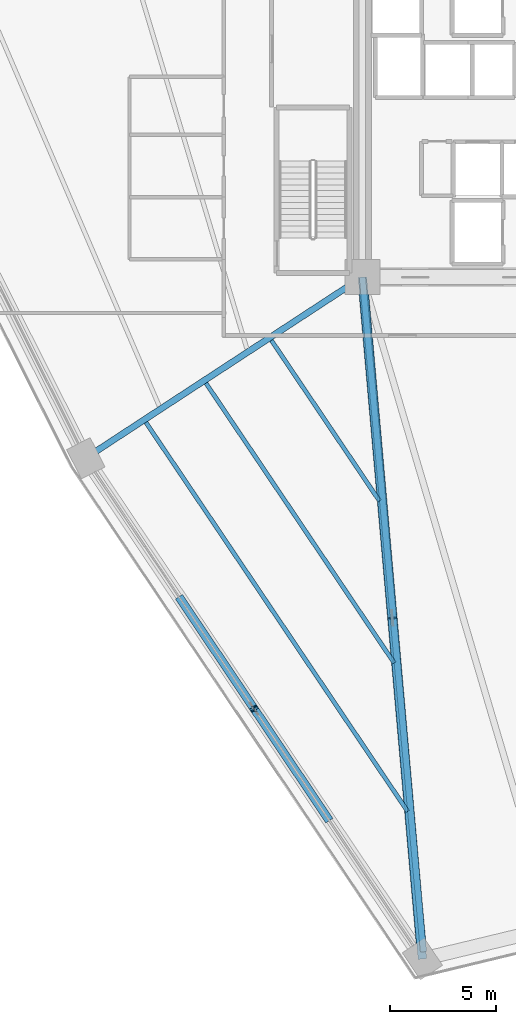
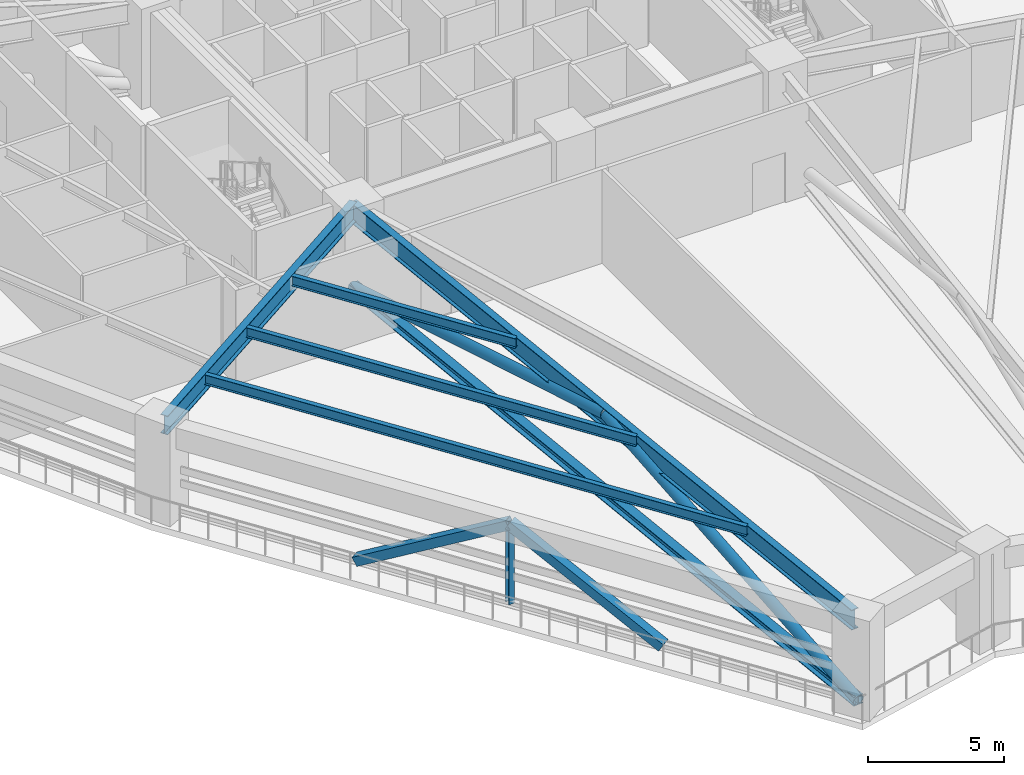
# One storey, part 2 of 25: 6 members, 5 beams.
"""IFC4 building model written with IfcOpenShell, lengths in metres."""

import ifcopenshell
import ifcopenshell.guid

model = None  # the IFC model being written
_history = None  # IfcOwnerHistory: only IFC2X3 demands one
_inside = {}  # id of a spatial element -> (the spatial element, [elements in it])
_under = {}  # id of a project, library or spatial element -> (it, [spatial elements below it])
_declared = {}  # id of a project -> (the project, [libraries it declares])
_typed = {}  # id of a type object -> (the type object, [elements of that type])
_made_of = {}  # id of a material, layer set ... -> (it, [elements and type objects made of it])


def new_model(schema):
    """Start an empty IFC model of exactly this schema.

    Asked for "IFC4X3", IfcOpenShell would pick the latest addendum, in which some entities
    have other attributes; the version numbers below select the first issue.
    IFC2X3 requires an IfcOwnerHistory on every rooted entity: one is made here for all.
    """
    global model, _history
    if schema == "IFC4X3":
        model = ifcopenshell.file(schema_version=(4, 3, 0, 0))
    else:
        model = ifcopenshell.file(schema=schema)
    _inside.clear()
    _under.clear()
    _declared.clear()
    _typed.clear()
    _made_of.clear()
    _history = None
    if model.schema == "IFC2X3":
        org = make("IfcOrganization", Name="unknown")
        user = make(
            "IfcPersonAndOrganization",
            ThePerson=make("IfcPerson", FamilyName="unknown"),
            TheOrganization=org,
        )
        app = make(
            "IfcApplication",
            ApplicationDeveloper=org,
            Version="unknown",
            ApplicationFullName="unknown",
            ApplicationIdentifier="unknown",
        )
        _history = make(
            "IfcOwnerHistory",
            OwningUser=user,
            OwningApplication=app,
            ChangeAction="ADDED",
            CreationDate=0,
        )
    return model


def make(cls, **values):
    """One entity of the class cls with the attributes given. An attribute that is None is left unset."""
    return model.create_entity(
        cls, **{name: value for name, value in values.items() if value is not None}
    )


def rooted(cls, **values):
    """An entity with a GlobalId (a new one), such as an element, a storey or a relation."""
    return make(cls, GlobalId=ifcopenshell.guid.new(), OwnerHistory=_history, **values)


def si_unit(unit_type, name, prefix=None):
    """IfcSIUnit, for example si_unit("LENGTHUNIT", "METRE", prefix="MILLI")."""
    return make("IfcSIUnit", UnitType=unit_type, Prefix=prefix, Name=name)


def assignment(units):
    """IfcUnitAssignment: the units of a project."""
    return None if units is None else make("IfcUnitAssignment", Units=units)


def point(xyz):
    """IfcCartesianPoint."""
    return None if xyz is None else make("IfcCartesianPoint", Coordinates=xyz)


def direction(xyz):
    """IfcDirection."""
    return None if xyz is None else make("IfcDirection", DirectionRatios=xyz)


def frame(location, z_axis=None, x_axis=None):
    """IfcAxis2Placement3D, a coordinate frame: its origin and axes. An axis left out is left unset."""
    return make(
        "IfcAxis2Placement3D",
        Location=point(location),
        Axis=direction(z_axis),
        RefDirection=direction(x_axis),
    )


def frame_2d(location, x_axis=None):
    """IfcAxis2Placement2D, a coordinate frame in the plane: its origin and x axis."""
    return make(
        "IfcAxis2Placement2D", Location=point(location), RefDirection=direction(x_axis)
    )


def origin():
    """The frame at (0, 0, 0) with its axes left unset."""
    return frame((0.0, 0.0, 0.0))


def origin_2d():
    """The frame at (0, 0) in the plane with its x axis left unset."""
    return frame_2d((0.0, 0.0))


def place(relative_to, where):
    """IfcLocalPlacement: puts the frame where relative to a parent placement (None: the world)."""
    return make(
        "IfcLocalPlacement", PlacementRelTo=relative_to, RelativePlacement=where
    )


def context(
    kind, dimensions, precision=None, world=None, true_north=None, identifier=None
):
    """IfcGeometricRepresentationContext, for example the 3D "Model" context."""
    return make(
        "IfcGeometricRepresentationContext",
        ContextIdentifier=identifier,
        ContextType=kind,
        CoordinateSpaceDimension=dimensions,
        Precision=precision,
        WorldCoordinateSystem=world,
        TrueNorth=true_north,
    )


def subcontext(parent, identifier, kind, view, scale=None):
    """IfcGeometricRepresentationSubContext, for example "Body" below "Model"."""
    return make(
        "IfcGeometricRepresentationSubContext",
        ContextIdentifier=identifier,
        ContextType=kind,
        ParentContext=parent,
        TargetScale=scale,
        TargetView=view,
    )


def project(units=None, contexts=None):
    """IfcProject with its units and contexts."""
    return rooted(
        "IfcProject",
        Name="project",
        RepresentationContexts=contexts,
        UnitsInContext=assignment(units),
    )


def spatial(cls, under=None, at=None, **own):
    """A site, building, storey or space (cls), placed at a placement, below another one or the project."""
    s = rooted(cls, ObjectPlacement=at, **own)
    if under is not None:
        _under.setdefault(under.id(), (under, []))[1].append(s)
    return s


def profile(cls, at=None, kind="AREA", **sizes):
    """A parametric profile (cls). Its sizes go by their IFC names, for example OverallWidth=200.0."""
    return make(cls, ProfileType=kind, Position=at, **sizes)


def hollow_rectangle(**sizes):
    """IfcRectangleHollowProfileDef."""
    return profile("IfcRectangleHollowProfileDef", **sizes)


def hollow_circle(**sizes):
    """IfcCircleHollowProfileDef."""
    return profile("IfcCircleHollowProfileDef", **sizes)


def i_section(**sizes):
    """IfcIShapeProfileDef."""
    return profile("IfcIShapeProfileDef", **sizes)


def extrude(swept, where, along, depth):
    """IfcExtrudedAreaSolid: the profile swept, set in the frame where, extruded along a direction by depth."""
    return make(
        "IfcExtrudedAreaSolid",
        SweptArea=swept,
        Position=where,
        ExtrudedDirection=direction(along),
        Depth=depth,
    )


def shape(context_of_items, identifier, shape_type, items):
    """IfcShapeRepresentation: the items that make up one representation, for example the "Body"."""
    return make(
        "IfcShapeRepresentation",
        ContextOfItems=context_of_items,
        RepresentationIdentifier=identifier,
        RepresentationType=shape_type,
        Items=items,
    )


def source(mapping_origin, context_of_items, identifier, shape_type, items):
    """IfcRepresentationMap: a shape defined once, which mapped items show again and again."""
    return make(
        "IfcRepresentationMap",
        MappingOrigin=mapping_origin,
        MappedRepresentation=shape(context_of_items, identifier, shape_type, items),
    )


def transform(
    local_origin,
    x_axis=None,
    y_axis=None,
    z_axis=None,
    scale=None,
    scale2=None,
    scale3=None,
    uniform=True,
):
    """IfcCartesianTransformationOperator3D, or its non-uniform kind. x_axis, y_axis, z_axis: its Axis1, 2, 3."""
    if uniform:
        return make(
            "IfcCartesianTransformationOperator3D",
            Axis1=direction(x_axis),
            Axis2=direction(y_axis),
            LocalOrigin=point(local_origin),
            Scale=scale,
            Axis3=direction(z_axis),
        )
    return make(
        "IfcCartesianTransformationOperator3DnonUniform",
        Axis1=direction(x_axis),
        Axis2=direction(y_axis),
        LocalOrigin=point(local_origin),
        Scale=scale,
        Axis3=direction(z_axis),
        Scale2=scale2,
        Scale3=scale3,
    )


def mapped(mapping_source, mapping_target):
    """IfcMappedItem: shows the shape of a source again, moved by a transform."""
    return make(
        "IfcMappedItem", MappingSource=mapping_source, MappingTarget=mapping_target
    )


def material(Name=None, Category=None):
    """IfcMaterial."""
    return make("IfcMaterial", Name=Name, Category=Category)


def material_profile(
    of_material, cross_section, Name=None, Category=None, Priority=None
):
    """IfcMaterialProfile: a cross section and its material."""
    return make(
        "IfcMaterialProfile",
        Name=Name,
        Material=of_material,
        Profile=cross_section,
        Priority=Priority,
        Category=Category,
    )


def profile_set(profiles, Name=None, composite=None):
    """IfcMaterialProfileSet."""
    return make(
        "IfcMaterialProfileSet",
        Name=Name,
        MaterialProfiles=profiles,
        CompositeProfile=composite,
    )


def made_of(thing, what):
    """Note that an element or type object is made of a material, layer set ...; save() writes the relation."""
    if what is not None:
        _made_of.setdefault(what.id(), (what, []))[1].append(thing)
    return thing


def type_object(cls, material=None, **own):
    """A type object (cls), such as IfcWallType, which elements share."""
    return made_of(rooted(cls, **own), material)


def element(
    cls,
    number,
    at=None,
    inside=None,
    cuts=None,
    type_object=None,
    material=None,
    context=None,
    identifier="Body",
    shape_type=None,
    held_by="IfcProductDefinitionShape",
    body=None,
    shapes=None,
    **own,
):
    """One element of the class cls, such as IfcWall. Its Tag is "e" and its number.

    at: its placement. inside: the storey or other place that contains it. cuts: it is an
    opening in that element (IfcRelVoidsElement). A single representation is given by context,
    identifier, shape_type and body (its items); several are given by shapes. held_by: the class
    of the entity that holds the representations. save() writes the other relations.
    """
    e = rooted(cls, Tag="e%d" % number, ObjectPlacement=at, **own)
    if body is not None:
        shapes = [shape(context, identifier, shape_type, body)]
    if shapes is not None:
        e.Representation = make(held_by, Representations=shapes)
    if inside is not None:
        _inside.setdefault(inside.id(), (inside, []))[1].append(e)
    if cuts is not None:
        rooted(
            "IfcRelVoidsElement", RelatingBuildingElement=cuts, RelatedOpeningElement=e
        )
    if type_object is not None:
        _typed.setdefault(type_object.id(), (type_object, []))[1].append(e)
    return made_of(e, material)


def aggregate(whole, parts):
    """IfcRelAggregates: a whole, such as a stair, and the parts it consists of."""
    return rooted("IfcRelAggregates", RelatingObject=whole, RelatedObjects=parts)


def save(model, path):
    """Write the relations noted so far, then the file.

    IfcRelAggregates (storeys below a building ...), IfcRelContainedInSpatialStructure (elements
    in a storey), IfcRelDefinesByType, IfcRelAssociatesMaterial and IfcRelDeclares: one each for
    every whole, place, type object, material and project.
    """
    for whole, parts in _under.values():
        aggregate(whole, parts)
    for where, things in _inside.values():
        rooted(
            "IfcRelContainedInSpatialStructure",
            RelatedElements=things,
            RelatingStructure=where,
        )
    for kind, things in _typed.values():
        rooted("IfcRelDefinesByType", RelatedObjects=things, RelatingType=kind)
    for what, things in _made_of.values():
        rooted("IfcRelAssociatesMaterial", RelatedObjects=things, RelatingMaterial=what)
    for by, libraries in _declared.values():
        rooted("IfcRelDeclares", RelatingContext=by, RelatedDefinitions=libraries)
    model.write(path)


model = new_model("IFC4")

# Units and contexts
model_context = context("Model", 3, precision=1e-05, world=origin(), true_north=direction((0.0, 1.0)))
body_context = subcontext(model_context, "Body", "Model", "MODEL_VIEW")
ifc_project = project(units=[si_unit("LENGTHUNIT", "METRE"), si_unit("AREAUNIT", "SQUARE_METRE"), si_unit("VOLUMEUNIT", "CUBIC_METRE"), si_unit("PLANEANGLEUNIT", "RADIAN"), si_unit("MASSUNIT", "GRAM", prefix="KILO")], contexts=[model_context])

# Site, building, storey
site_placement = place(None, origin())
site = spatial("IfcSite", under=ifc_project, at=site_placement, CompositionType="ELEMENT")
building_placement = place(site_placement, origin())
building = spatial("IfcBuilding", under=site, at=building_placement, Name="Liaohun Quay Tower", CompositionType="ELEMENT")
storey_placement = place(building_placement, frame((0.0, 0.0, 93.0)))
storey = spatial("IfcBuildingStorey", under=building, at=storey_placement, Name="L24", CompositionType="ELEMENT", Elevation=93.0)

# Beams
ifc_material_1 = material(Name="Steel Q355D", Category="steel")
ifc_material_profile_1 = material_profile(ifc_material_1, i_section(OverallWidth=0.199951171875, OverallDepth=0.449951171875, WebThickness=0.009033203125, FlangeThickness=0.013916015625, at=origin_2d()), Name="HN450x200x9x14")
ifc_profile_set_1 = profile_set([ifc_material_profile_1], Name="Steel Q355D")
beam_type_1 = type_object("IfcBeamType", Name="BM-SEC-J1", PredefinedType="JOIST", material=ifc_profile_set_1)
shared_shape_1 = source(origin(), body_context, "Body", "SweptSolid", [
    extrude(i_section(OverallWidth=0.199951171875, OverallDepth=0.449951171875, WebThickness=0.009033203125, FlangeThickness=0.013916015625, at=origin_2d()), origin(), (0.0, 0.0, 1.0), 22.186767578125),
])
beam_1_placement = place(storey_placement, frame((53.139892578125, 21.212890625, 3.9951171875), z_axis=(-0.558217323971, 0.829694774733, 0.0), x_axis=(-0.829694774733, -0.558217323971, 0.0)))
element("IfcBeam", 1, at=beam_1_placement, inside=storey, type_object=beam_type_1, Name="L24 Wing Secondary Floor Joist SJ-03", PredefinedType="JOIST", context=body_context, shape_type="MappedRepresentation", body=[
    mapped(shared_shape_1, transform((0.0, 0.0, 0.0), x_axis=(1.0, 0.0, 0.0), y_axis=(0.0, 1.0, 0.0), z_axis=(0.0, 0.0, 1.0), scale=1.0)),
])
ifc_material_2 = material(Name="Steel Q420D", Category="steel")
ifc_material_profile_2 = material_profile(ifc_material_2, i_section(OverallWidth=0.300048828125, OverallDepth=0.89990234375, WebThickness=0.01611328125, FlangeThickness=0.028076171875, at=origin_2d()), Name="HN900x300x16x28")
ifc_profile_set_2 = profile_set([ifc_material_profile_2], Name="Steel Q420D")
beam_type_2 = type_object("IfcBeamType", Name="BM-RAD-H1", PredefinedType="BEAM", material=ifc_profile_set_2)
shared_shape_2 = source(origin(), body_context, "Body", "SweptSolid", [
    extrude(i_section(OverallWidth=0.300048828125, OverallDepth=0.89990234375, WebThickness=0.01611328125, FlangeThickness=0.028076171875, at=origin_2d()), origin(), (0.0, 0.0, 1.0), 32.0625),
])
beam_2_placement = place(storey_placement, frame((51.0, 46.5, 3.77001953125), z_axis=(0.09020138941, -0.995923545935, 0.0), x_axis=(0.995923545935, 0.09020138941, 0.0)))
element("IfcBeam", 2, at=beam_2_placement, inside=storey, type_object=beam_type_2, Name="L24 Radial Primary Girder CC1-PC01", PredefinedType="BEAM", context=body_context, shape_type="MappedRepresentation", body=[
    mapped(shared_shape_2, transform((0.0, 0.0, 0.0), x_axis=(1.0, 0.0, 0.0), y_axis=(0.0, 1.0, 0.0), z_axis=(0.0, 0.0, 1.0), scale=1.0)),
])
ifc_material_profile_3 = material_profile(ifc_material_1, i_section(OverallWidth=0.300048828125, OverallDepth=0.85009765625, WebThickness=0.01611328125, FlangeThickness=0.028076171875, at=origin_2d()), Name="HN850x300x16x28")
ifc_profile_set_3 = profile_set([ifc_material_profile_3], Name="Steel Q355D")
beam_type_3 = type_object("IfcBeamType", Name="BM-RAD-H2", PredefinedType="BEAM", material=ifc_profile_set_3)
shared_shape_3 = source(origin(), body_context, "Body", "SweptSolid", [
    extrude(i_section(OverallWidth=0.300048828125, OverallDepth=0.85009765625, WebThickness=0.01611328125, FlangeThickness=0.028076171875, at=origin_2d()), origin(), (0.0, 0.0, 1.0), 15.426513671875),
])
beam_3_placement = place(storey_placement, frame((51.0, 46.5, 3.794921875), z_axis=(-0.836928627915, -0.547312042418, 0.0), x_axis=(0.547312042418, -0.836928627915, 0.0)))
element("IfcBeam", 3, at=beam_3_placement, inside=storey, type_object=beam_type_3, Name="L24 Radial Primary Girder CC1-PC02", PredefinedType="BEAM", context=body_context, shape_type="MappedRepresentation", body=[
    mapped(shared_shape_3, transform((0.0, 0.0, 0.0), x_axis=(1.0, 0.0, 0.0), y_axis=(0.0, 1.0, 0.0), z_axis=(0.0, 0.0, 1.0), scale=1.0)),
])
shared_shape_4 = source(origin(), body_context, "Body", "SweptSolid", [
    extrude(i_section(OverallWidth=0.199951171875, OverallDepth=0.449951171875, WebThickness=0.009033203125, FlangeThickness=0.013916015625, at=origin_2d()), origin(), (0.0, 0.0, 1.0), 9.163330078125),
])
beam_4_placement = place(storey_placement, frame((51.80908203125, 35.902099609375, 3.9951171875), z_axis=(-0.558206039736, 0.829702366637, 0.0), x_axis=(-0.829702366637, -0.558206039736, 0.0)))
element("IfcBeam", 4, at=beam_4_placement, inside=storey, type_object=beam_type_1, Name="L24 Wing Secondary Floor Joist SJ-01", PredefinedType="JOIST", context=body_context, shape_type="MappedRepresentation", body=[
    mapped(shared_shape_4, transform((0.0, 0.0, 0.0), x_axis=(1.0, 0.0, 0.0), y_axis=(0.0, 1.0, 0.0), z_axis=(0.0, 0.0, 1.0), scale=1.0)),
])
shared_shape_5 = source(origin(), body_context, "Body", "SweptSolid", [
    extrude(i_section(OverallWidth=0.199951171875, OverallDepth=0.449951171875, WebThickness=0.009033203125, FlangeThickness=0.013916015625, at=origin_2d()), origin(), (0.0, 0.0, 1.0), 15.95849609375),
])
beam_5_placement = place(storey_placement, frame((52.5029296875, 28.238037109375, 3.9951171875), z_axis=(-0.558193926434, 0.829710516079, 0.0), x_axis=(-0.829710516079, -0.558193926434, 0.0)))
element("IfcBeam", 5, at=beam_5_placement, inside=storey, type_object=beam_type_1, Name="L24 Wing Secondary Floor Joist SJ-02", PredefinedType="JOIST", context=body_context, shape_type="MappedRepresentation", body=[
    mapped(shared_shape_5, transform((0.0, 0.0, 0.0), x_axis=(1.0, 0.0, 0.0), y_axis=(0.0, 1.0, 0.0), z_axis=(0.0, 0.0, 1.0), scale=1.0)),
])

# Members
ifc_material_profile_4 = material_profile(ifc_material_2, i_section(OverallWidth=0.405029296875, OverallDepth=0.4140625, WebThickness=0.01806640625, FlangeThickness=0.028076171875, at=origin_2d()), Name="HW414x405x18x28")
ifc_profile_set_4 = profile_set([ifc_material_profile_4], Name="Steel Q420D")
member_type_1 = type_object("IfcMemberType", Name="MEM-OUT-CHD", PredefinedType="CHORD", material=ifc_profile_set_4)
shared_shape_6 = source(origin(), body_context, "Body", "SweptSolid", [
    extrude(i_section(OverallWidth=0.405029296875, OverallDepth=0.4140625, WebThickness=0.01806640625, FlangeThickness=0.028076171875, at=origin_2d()), origin(), (0.0, 0.0, 1.0), 32.3974609375),
])
member_1_placement = place(storey_placement, frame((51.0, 46.5, 0.35009765625), z_axis=(0.087596022997, -0.996156080519, 0.0), x_axis=(0.996156080519, 0.087596022997, 0.0)))
element("IfcMember", 6, at=member_1_placement, inside=storey, type_object=member_type_1, Name="L24 Outrigger Bottom Chord OC-01", PredefinedType="CHORD", context=body_context, shape_type="MappedRepresentation", body=[
    mapped(shared_shape_6, transform((0.0, 0.0, 0.0), x_axis=(1.0, 0.0, 0.0), y_axis=(0.0, 1.0, 0.0), z_axis=(0.0, 0.0, 1.0), scale=1.0)),
])
ifc_material_profile_5 = material_profile(ifc_material_2, hollow_circle(Radius=0.228515625, WallThickness=0.02001953125, at=origin_2d()), Name="CHS457x20")
ifc_profile_set_5 = profile_set([ifc_material_profile_5], Name="Steel Q420D")
member_type_2 = type_object("IfcMemberType", Name="MEM-OUT-DG1", PredefinedType="BRACE", material=ifc_profile_set_5)
shared_shape_7 = source(origin(), body_context, "Body", "SweptSolid", [
    extrude(hollow_circle(Radius=0.228515625, WallThickness=0.02001953125, at=origin_2d()), origin(), (0.0, 0.0, 1.0), 16.5869140625),
])
member_2_placement = place(storey_placement, frame((51.0, 46.5, 0.35009765625), z_axis=(0.085545854365, -0.972811794998, 0.2152187685), x_axis=(0.996155849218, 0.087598653347, 0.0)))
element("IfcMember", 7, at=member_2_placement, inside=storey, type_object=member_type_2, Name="L24 Outrigger Diagonal OD-01A", PredefinedType="BRACE", context=body_context, shape_type="MappedRepresentation", body=[
    mapped(shared_shape_7, transform((0.0, 0.0, 0.0), x_axis=(1.0, 0.0, 0.0), y_axis=(0.0, 1.0, 0.0), z_axis=(0.0, 0.0, 1.0), scale=1.0)),
])
shared_shape_8 = source(origin(), body_context, "Body", "SweptSolid", [
    extrude(hollow_circle(Radius=0.228515625, WallThickness=0.02001953125, at=origin_2d()), origin(), (0.0, 0.0, 1.0), 16.587890625),
])
member_3_placement = place(storey_placement, frame((52.4189453125, 30.364013671875, 3.919921875), z_axis=(0.085540955031, -0.972814952635, -0.215206442614), x_axis=(0.996156311799, 0.087593392804, 0.0)))
element("IfcMember", 8, at=member_3_placement, inside=storey, type_object=member_type_2, Name="L24 Outrigger Diagonal OD-01B", PredefinedType="BRACE", context=body_context, shape_type="MappedRepresentation", body=[
    mapped(shared_shape_8, transform((0.0, 0.0, 0.0), x_axis=(1.0, 0.0, 0.0), y_axis=(0.0, 1.0, 0.0), z_axis=(0.0, 0.0, 1.0), scale=1.0)),
])
ifc_material_profile_6 = material_profile(ifc_material_1, i_section(OverallWidth=0.25, OverallDepth=0.25, WebThickness=0.009033203125, FlangeThickness=0.013916015625, at=origin_2d()), Name="HW250x250x9x14")
ifc_profile_set_6 = profile_set([ifc_material_profile_6], Name="Steel Q355D")
member_type_3 = type_object("IfcMemberType", Name="MEM-BLT-PST", PredefinedType="POST", material=ifc_profile_set_6)
shared_shape_9 = source(origin(), body_context, "Body", "SweptSolid", [
    extrude(i_section(OverallWidth=0.25, OverallDepth=0.25, WebThickness=0.009033203125, FlangeThickness=0.013916015625, at=origin_2d()), origin(), (0.0, 0.0, 1.0), 3.56982421875),
])
member_4_placement = place(storey_placement, frame((45.873046875, 26.075927734375, 0.35009765625), z_axis=(0.0, 0.0, 1.0), x_axis=(1.0, 0.0, 0.0)))
element("IfcMember", 9, at=member_4_placement, inside=storey, type_object=member_type_3, Name="L24 Belt Truss Vertical Post BP-1-01", PredefinedType="POST", context=body_context, shape_type="MappedRepresentation", body=[
    mapped(shared_shape_9, transform((0.0, 0.0, 0.0), x_axis=(1.0, 0.0, 0.0), y_axis=(0.0, 1.0, 0.0), z_axis=(0.0, 0.0, 1.0), scale=1.0)),
])
ifc_material_profile_7 = material_profile(ifc_material_2, hollow_rectangle(XDim=0.39990234375, YDim=0.39990234375, WallThickness=0.02001953125, at=origin_2d()), Name="SHS400x400x20")
ifc_profile_set_7 = profile_set([ifc_material_profile_7], Name="Steel Q420D")
member_type_4 = type_object("IfcMemberType", Name="MEM-BLT-DG1", PredefinedType="BRACE", material=ifc_profile_set_7)
shared_shape_10 = source(origin(), body_context, "Body", "SweptSolid", [
    extrude(hollow_rectangle(XDim=0.39990234375, YDim=0.39990234375, WallThickness=0.02001953125, at=origin_2d()), origin(), (0.0, 0.0, 1.0), 7.225830078125),
])
member_5_placement = place(storey_placement, frame((49.3779296875, 20.862060546875, 0.35009765625), z_axis=(-0.485050836231, 0.721562110514, 0.494038264654), x_axis=(-0.82991578158, -0.557888694529, 0.0)))
element("IfcMember", 10, at=member_5_placement, inside=storey, type_object=member_type_4, Name="L24 Belt Truss Diagonal BD-01A", PredefinedType="BRACE", context=body_context, shape_type="MappedRepresentation", body=[
    mapped(shared_shape_10, transform((0.0, 0.0, 0.0), x_axis=(1.0, 0.0, 0.0), y_axis=(0.0, 1.0, 0.0), z_axis=(0.0, 0.0, 1.0), scale=1.0)),
])
shared_shape_11 = source(origin(), body_context, "Body", "SweptSolid", [
    extrude(hollow_rectangle(XDim=0.39990234375, YDim=0.39990234375, WallThickness=0.02001953125, at=origin_2d()), origin(), (0.0, 0.0, 1.0), 7.2255859375),
])
member_6_placement = place(storey_placement, frame((45.873046875, 26.075927734375, 3.919921875), z_axis=(-0.48496149192, 0.721613779902, -0.494050507549), x_axis=(-0.829981851039, -0.557790396964, 0.0)))
element("IfcMember", 11, at=member_6_placement, inside=storey, type_object=member_type_4, Name="L24 Belt Truss Diagonal BD-01B", PredefinedType="BRACE", context=body_context, shape_type="MappedRepresentation", body=[
    mapped(shared_shape_11, transform((0.0, 0.0, 0.0), x_axis=(1.0, 0.0, 0.0), y_axis=(0.0, 1.0, 0.0), z_axis=(0.0, 0.0, 1.0), scale=1.0)),
])

save(model, "model.ifc")
